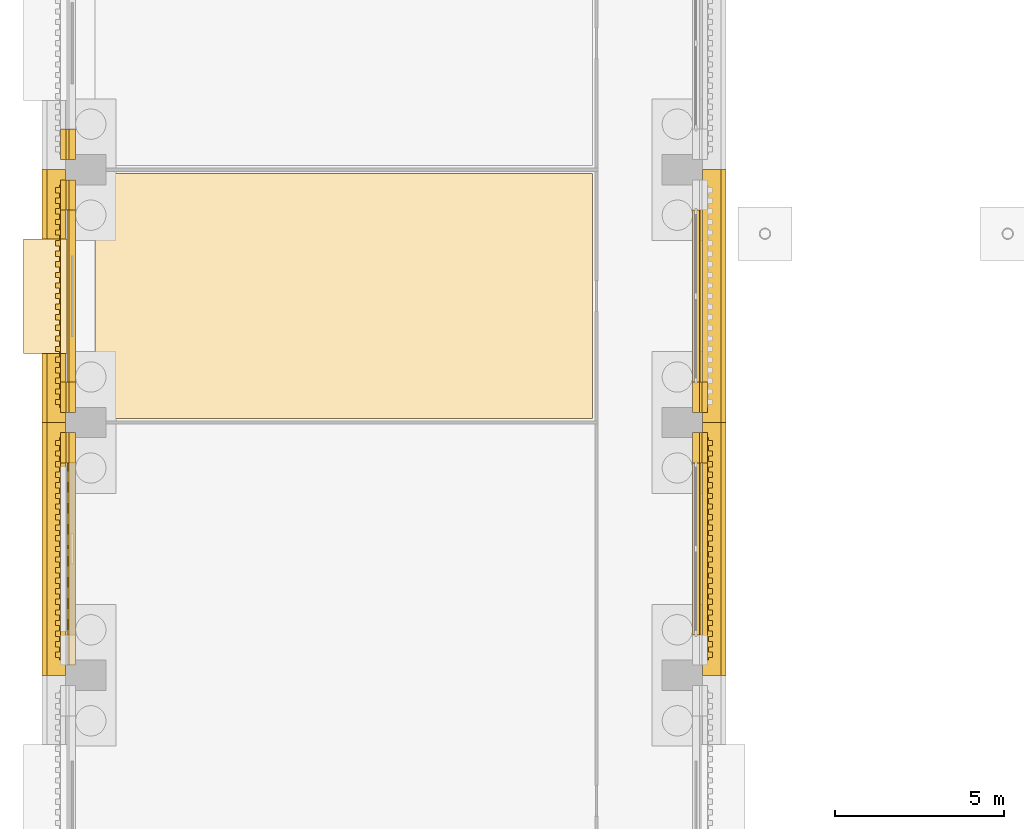
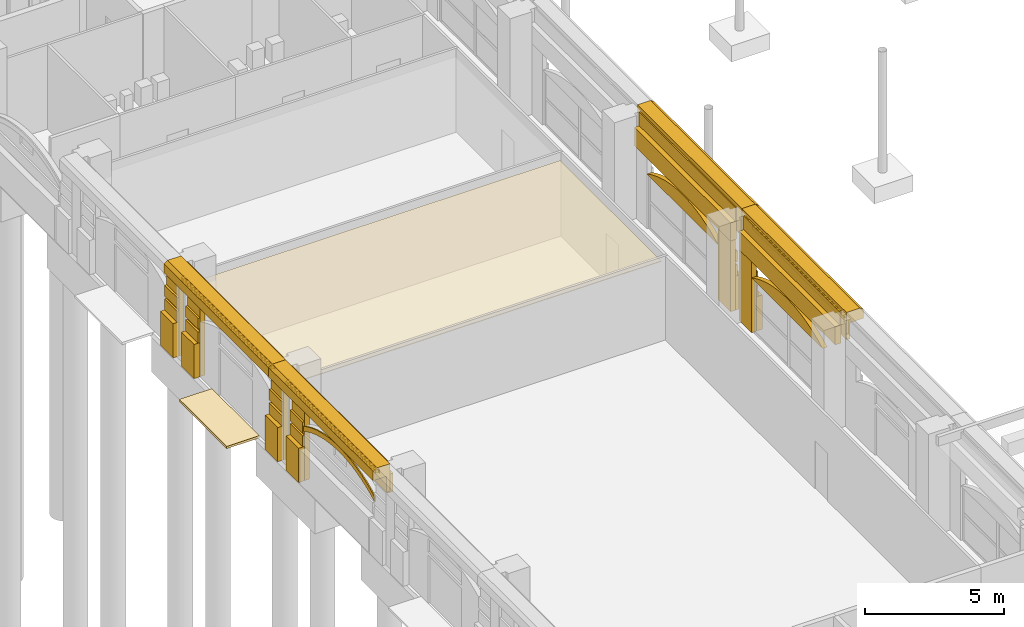
# One storey, part 72 of 99: 40 coverings.
"""IFC4 building model written with IfcOpenShell, lengths in metres."""

from ifc_helpers import new_model, si_unit, direction, frame, origin, place, context, subcontext, project, spatial, polyline, outline, extrude, material, layer, layer_set, type_object, element, save


model = new_model("IFC4")

# Units and contexts
model_context = context("Model", 3, precision=1e-05, world=origin(), true_north=direction((0.0, 1.0)))
body_context = subcontext(model_context, "Body", "Model", "MODEL_VIEW")
ifc_project = project(units=[si_unit("LENGTHUNIT", "METRE"), si_unit("AREAUNIT", "SQUARE_METRE"), si_unit("VOLUMEUNIT", "CUBIC_METRE"), si_unit("PLANEANGLEUNIT", "RADIAN"), si_unit("MASSUNIT", "GRAM", prefix="KILO")], contexts=[model_context])

# Site, building, storey
site_placement = place(None, origin())
site = spatial("IfcSite", under=ifc_project, at=site_placement, CompositionType="ELEMENT")
building_placement = place(site_placement, origin())
building = spatial("IfcBuilding", under=site, at=building_placement, Name="Cour d'Honneur Mobility Palace", CompositionType="ELEMENT")
storey_placement = place(building_placement, origin())
storey = spatial("IfcBuildingStorey", under=building, at=storey_placement, Name="L00", CompositionType="ELEMENT", Elevation=0.0)

# Coverings
ifc_material_1 = material(Name="Cast limestone", Category="masonry")
ifc_layer_1 = layer(ifc_material_1, 0.050048828125)
ifc_layer_set_1 = layer_set([ifc_layer_1], Name="Cast limestone")
covering_type_1 = type_object("IfcCoveringType", Name="Arch hood", PredefinedType="CLADDING", material=ifc_layer_set_1)
covering_1_placement = place(storey_placement, frame((-0.699951171875, 83.699951171875, 2.179931640625), z_axis=(-1.0, 0.0, 0.0), x_axis=(0.0, -0.893466628376, 0.449129584839)))
element("IfcCovering", 1, at=covering_1_placement, inside=storey, type_object=covering_type_1, Name="Arch hood AH-50", PredefinedType="CLADDING", context=body_context, shape_type="SweptSolid", body=[
    extrude(outline(polyline([(0.0, 0.0), (0.35659251896621735, 0.0), (0.7019994885684498, -0.022795326888668588), (1.036770332748469, -0.0667494093809779), (1.3614544754480467, -0.13022567619190017), (1.6770364335570624, -0.21235277137119013), (1.9834088964060255, -0.3122569988605455), (2.2812274285521696, -0.4297213972129261), (2.570383549271975, -0.5644181841497155), (2.850768777841922, -0.7160195773922962), (3.122709726486599, -0.8849630099968336), (3.38566048142632, -1.0712473119092998), (3.6398380041081246, -1.2755280476869282), (3.8846952106983004, -1.4983499610553759), (4.119465715808033, -1.740694058742436), (4.343818226996622, -2.004306562810686), (4.556548925819088, -2.2904950922125074), (4.655344276390369, -2.0939586097498237), (4.44272322834545, -1.807551948846934), (4.218261066379314, -1.5441575762797524), (3.9834905612695803, -1.3018134785926923), (3.7387430054569535, -1.078773433723176), (3.4844558319976, -0.8747108294466162), (3.221505077057879, -0.68842652753415), (2.949564128413202, -0.5194830949296125), (2.669178899843255, -0.3678817016870317), (2.3800227791234496, -0.2331849147502425), (2.0822042469773057, -0.11572051639786185), (1.7758317841283424, -0.015816288908506504), (1.4603594767968753, 0.06652893777185187), (1.135565683319749, 0.12978707308170578), (0.8007948391397299, 0.17374115557401504), (0.45549752031504603, 0.1967546139637521), (0.09879535057128006, 0.19653648246268365), (0.0, 0.0)])), origin(), (0.0, 0.0, -1.0), 0.050048828125),
])
ifc_material_2 = material(Name="Cast limestone", Category="masonry")
ifc_layer_2 = layer(ifc_material_2, 0.199951171875)
ifc_layer_set_2 = layer_set([ifc_layer_2], Name="Cast limestone")
covering_type_2 = type_object("IfcCoveringType", Name="Arch tympanum panel", PredefinedType="CLADDING", material=ifc_layer_set_2)
for number, where, z_axis, x_axis, name in (
    (2, (18.050048828125, 78.60009765625, 2.39990234375), (1.0, 0.0, 0.0), (0.0, 1.0, 0.0), "Arch tympanum panel TP-11"),
    (3, (18.050048828125, 86.10009765625, 2.39990234375), (1.0, 0.0, 0.0), (0.0, 1.0, 0.0), "Arch tympanum panel TP-12"),
):
    element("IfcCovering", number, at=place(storey_placement, frame(where, z_axis=z_axis, x_axis=x_axis)), inside=storey, type_object=covering_type_2, Name=name, PredefinedType="CLADDING", context=body_context, shape_type="SweptSolid", body=[
        extrude(outline(polyline([(0.0, 0.0), (5.099853515625, 0.0), (5.099853515625, 0.0), (4.78125, 0.160400390625), (4.46240234375, 0.294921875), (4.1435546875, 0.406005859375), (3.824951171875, 0.495361328125), (3.506103515625, 0.5634765625), (3.1875, 0.61181640625), (2.86865234375, 0.640625), (2.5498046875, 0.650146484375), (2.231201171875, 0.640625), (1.912353515625, 0.61181640625), (1.59375, 0.5634765625), (1.27490234375, 0.495361328125), (0.9560546875, 0.406005859375), (0.637451171875, 0.294921875), (0.318603515625, 0.160400390625), (0.0, 0.0), (0.0, 0.0)])), origin(), (0.0, 0.0, -1.0), 0.199951171875),
    ])
ifc_material_3 = material(Name="Cast limestone", Category="masonry")
ifc_layer_3 = layer(ifc_material_3, 0.14990234375)
ifc_layer_set_3 = layer_set([ifc_layer_3], Name="Cast limestone")
covering_type_3 = type_object("IfcCoveringType", Name="Dentil course", PredefinedType="CLADDING", material=ifc_layer_set_3)
covering_2_placement = place(storey_placement, frame((0.0, 0.0, 3.949951171875)))
element("IfcCovering", 4, at=covering_2_placement, inside=storey, type_object=covering_type_3, Name="Dentil course DC-57", PredefinedType="CLADDING", context=body_context, shape_type="SweptSolid", body=[
    extrude(outline(polyline([(18.300048828125, 77.85009765625), (18.300048828125, 84.449951171875), (18.330078125, 84.449951171875), (18.330078125, 84.449951171875), (18.330078125, 84.371337890625), (18.449951171875, 84.371337890625), (18.449951171875, 84.21435546875), (18.330078125, 84.21435546875), (18.330078125, 84.1357421875), (18.330078125, 84.1357421875), (18.330078125, 84.05712890625), (18.449951171875, 84.05712890625), (18.449951171875, 83.89990234375), (18.330078125, 83.89990234375), (18.330078125, 83.821533203125), (18.330078125, 83.821533203125), (18.330078125, 83.742919921875), (18.449951171875, 83.742919921875), (18.449951171875, 83.585693359375), (18.330078125, 83.585693359375), (18.330078125, 83.507080078125), (18.330078125, 83.507080078125), (18.330078125, 83.428466796875), (18.449951171875, 83.428466796875), (18.449951171875, 83.271484375), (18.330078125, 83.271484375), (18.330078125, 83.19287109375), (18.330078125, 83.19287109375), (18.330078125, 83.1142578125), (18.449951171875, 83.1142578125), (18.449951171875, 82.95703125), (18.330078125, 82.95703125), (18.330078125, 82.878662109375), (18.330078125, 82.878662109375), (18.330078125, 82.800048828125), (18.449951171875, 82.800048828125), (18.449951171875, 82.642822265625), (18.330078125, 82.642822265625), (18.330078125, 82.564208984375), (18.330078125, 82.564208984375), (18.330078125, 82.485595703125), (18.449951171875, 82.485595703125), (18.449951171875, 82.32861328125), (18.330078125, 82.32861328125), (18.330078125, 82.25), (18.330078125, 82.25), (18.330078125, 82.17138671875), (18.449951171875, 82.17138671875), (18.449951171875, 82.014404296875), (18.330078125, 82.014404296875), (18.330078125, 81.935791015625), (18.330078125, 81.935791015625), (18.330078125, 81.857177734375), (18.449951171875, 81.857177734375), (18.449951171875, 81.699951171875), (18.330078125, 81.699951171875), (18.330078125, 81.621337890625), (18.330078125, 81.621337890625), (18.330078125, 81.54296875), (18.449951171875, 81.54296875), (18.449951171875, 81.3857421875), (18.330078125, 81.3857421875), (18.330078125, 81.30712890625), (18.330078125, 81.30712890625), (18.330078125, 81.228515625), (18.449951171875, 81.228515625), (18.449951171875, 81.071533203125), (18.330078125, 81.071533203125), (18.330078125, 80.992919921875), (18.330078125, 80.992919921875), (18.330078125, 80.914306640625), (18.449951171875, 80.914306640625), (18.449951171875, 80.757080078125), (18.330078125, 80.757080078125), (18.330078125, 80.678466796875), (18.330078125, 80.678466796875), (18.330078125, 80.60009765625), (18.449951171875, 80.60009765625), (18.449951171875, 80.44287109375), (18.330078125, 80.44287109375), (18.330078125, 80.3642578125), (18.330078125, 80.3642578125), (18.330078125, 80.28564453125), (18.449951171875, 80.28564453125), (18.449951171875, 80.128662109375), (18.330078125, 80.128662109375), (18.330078125, 80.050048828125), (18.330078125, 80.050048828125), (18.330078125, 79.971435546875), (18.449951171875, 79.971435546875), (18.449951171875, 79.814208984375), (18.330078125, 79.814208984375), (18.330078125, 79.735595703125), (18.330078125, 79.735595703125), (18.330078125, 79.6572265625), (18.449951171875, 79.6572265625), (18.449951171875, 79.5), (18.330078125, 79.5), (18.330078125, 79.42138671875), (18.330078125, 79.42138671875), (18.330078125, 79.3427734375), (18.449951171875, 79.3427734375), (18.449951171875, 79.185791015625), (18.330078125, 79.185791015625), (18.330078125, 79.107177734375), (18.330078125, 79.107177734375), (18.330078125, 79.028564453125), (18.449951171875, 79.028564453125), (18.449951171875, 78.871337890625), (18.330078125, 78.871337890625), (18.330078125, 78.79296875), (18.330078125, 78.79296875), (18.330078125, 78.71435546875), (18.449951171875, 78.71435546875), (18.449951171875, 78.55712890625), (18.330078125, 78.55712890625), (18.330078125, 78.478515625), (18.330078125, 78.478515625), (18.330078125, 78.39990234375), (18.449951171875, 78.39990234375), (18.449951171875, 78.242919921875), (18.330078125, 78.242919921875), (18.330078125, 78.164306640625), (18.330078125, 78.164306640625), (18.330078125, 78.085693359375), (18.449951171875, 78.085693359375), (18.449951171875, 77.928466796875), (18.330078125, 77.928466796875), (18.330078125, 77.85009765625), (18.300048828125, 77.85009765625)])), origin(), (0.0, 0.0, 1.0), 0.150146484375),
])
covering_3_placement = place(storey_placement, frame((0.0, 0.0, 3.949951171875)))
element("IfcCovering", 5, at=covering_3_placement, inside=storey, type_object=covering_type_3, Name="Dentil course DC-63", PredefinedType="CLADDING", context=body_context, shape_type="SweptSolid", body=[
    extrude(outline(polyline([(-0.89990234375, 91.949951171875), (-0.89990234375, 85.35009765625), (-0.929931640625, 85.35009765625), (-0.929931640625, 85.35009765625), (-0.929931640625, 85.428466796875), (-1.050048828125, 85.428466796875), (-1.050048828125, 85.585693359375), (-0.929931640625, 85.585693359375), (-0.929931640625, 85.664306640625), (-0.929931640625, 85.664306640625), (-0.929931640625, 85.742919921875), (-1.050048828125, 85.742919921875), (-1.050048828125, 85.89990234375), (-0.929931640625, 85.89990234375), (-0.929931640625, 85.978515625), (-0.929931640625, 85.978515625), (-0.929931640625, 86.05712890625), (-1.050048828125, 86.05712890625), (-1.050048828125, 86.21435546875), (-0.929931640625, 86.21435546875), (-0.929931640625, 86.29296875), (-0.929931640625, 86.29296875), (-0.929931640625, 86.371337890625), (-1.050048828125, 86.371337890625), (-1.050048828125, 86.528564453125), (-0.929931640625, 86.528564453125), (-0.929931640625, 86.607177734375), (-0.929931640625, 86.607177734375), (-0.929931640625, 86.685791015625), (-1.050048828125, 86.685791015625), (-1.050048828125, 86.8427734375), (-0.929931640625, 86.8427734375), (-0.929931640625, 86.92138671875), (-0.929931640625, 86.92138671875), (-0.929931640625, 87.0), (-1.050048828125, 87.0), (-1.050048828125, 87.1572265625), (-0.929931640625, 87.1572265625), (-0.929931640625, 87.235595703125), (-0.929931640625, 87.235595703125), (-0.929931640625, 87.314208984375), (-1.050048828125, 87.314208984375), (-1.050048828125, 87.471435546875), (-0.929931640625, 87.471435546875), (-0.929931640625, 87.550048828125), (-0.929931640625, 87.550048828125), (-0.929931640625, 87.628662109375), (-1.050048828125, 87.628662109375), (-1.050048828125, 87.78564453125), (-0.929931640625, 87.78564453125), (-0.929931640625, 87.8642578125), (-0.929931640625, 87.8642578125), (-0.929931640625, 87.94287109375), (-1.050048828125, 87.94287109375), (-1.050048828125, 88.10009765625), (-0.929931640625, 88.10009765625), (-0.929931640625, 88.178466796875), (-0.929931640625, 88.178466796875), (-0.929931640625, 88.257080078125), (-1.050048828125, 88.257080078125), (-1.050048828125, 88.414306640625), (-0.929931640625, 88.414306640625), (-0.929931640625, 88.492919921875), (-0.929931640625, 88.492919921875), (-0.929931640625, 88.571533203125), (-1.050048828125, 88.571533203125), (-1.050048828125, 88.728515625), (-0.929931640625, 88.728515625), (-0.929931640625, 88.80712890625), (-0.929931640625, 88.80712890625), (-0.929931640625, 88.8857421875), (-1.050048828125, 88.8857421875), (-1.050048828125, 89.04296875), (-0.929931640625, 89.04296875), (-0.929931640625, 89.121337890625), (-0.929931640625, 89.121337890625), (-0.929931640625, 89.199951171875), (-1.050048828125, 89.199951171875), (-1.050048828125, 89.357177734375), (-0.929931640625, 89.357177734375), (-0.929931640625, 89.435791015625), (-0.929931640625, 89.435791015625), (-0.929931640625, 89.514404296875), (-1.050048828125, 89.514404296875), (-1.050048828125, 89.67138671875), (-0.929931640625, 89.67138671875), (-0.929931640625, 89.75), (-0.929931640625, 89.75), (-0.929931640625, 89.82861328125), (-1.050048828125, 89.82861328125), (-1.050048828125, 89.985595703125), (-0.929931640625, 89.985595703125), (-0.929931640625, 90.064208984375), (-0.929931640625, 90.064208984375), (-0.929931640625, 90.142822265625), (-1.050048828125, 90.142822265625), (-1.050048828125, 90.300048828125), (-0.929931640625, 90.300048828125), (-0.929931640625, 90.378662109375), (-0.929931640625, 90.378662109375), (-0.929931640625, 90.45703125), (-1.050048828125, 90.45703125), (-1.050048828125, 90.6142578125), (-0.929931640625, 90.6142578125), (-0.929931640625, 90.69287109375), (-0.929931640625, 90.69287109375), (-0.929931640625, 90.771484375), (-1.050048828125, 90.771484375), (-1.050048828125, 90.928466796875), (-0.929931640625, 90.928466796875), (-0.929931640625, 91.007080078125), (-0.929931640625, 91.007080078125), (-0.929931640625, 91.085693359375), (-1.050048828125, 91.085693359375), (-1.050048828125, 91.242919921875), (-0.929931640625, 91.242919921875), (-0.929931640625, 91.321533203125), (-0.929931640625, 91.321533203125), (-0.929931640625, 91.39990234375), (-1.050048828125, 91.39990234375), (-1.050048828125, 91.55712890625), (-0.929931640625, 91.55712890625), (-0.929931640625, 91.6357421875), (-0.929931640625, 91.6357421875), (-0.929931640625, 91.71435546875), (-1.050048828125, 91.71435546875), (-1.050048828125, 91.871337890625), (-0.929931640625, 91.871337890625), (-0.929931640625, 91.949951171875), (-0.89990234375, 91.949951171875)])), origin(), (0.0, 0.0, 1.0), 0.150146484375),
])
covering_4_placement = place(storey_placement, frame((0.0, 0.0, 3.949951171875)))
element("IfcCovering", 6, at=covering_4_placement, inside=storey, type_object=covering_type_3, Name="Dentil course DC-64", PredefinedType="CLADDING", context=body_context, shape_type="SweptSolid", body=[
    extrude(outline(polyline([(-0.89990234375, 84.449951171875), (-0.89990234375, 77.85009765625), (-0.929931640625, 77.85009765625), (-0.929931640625, 77.85009765625), (-0.929931640625, 77.928466796875), (-1.050048828125, 77.928466796875), (-1.050048828125, 78.085693359375), (-0.929931640625, 78.085693359375), (-0.929931640625, 78.164306640625), (-0.929931640625, 78.164306640625), (-0.929931640625, 78.242919921875), (-1.050048828125, 78.242919921875), (-1.050048828125, 78.39990234375), (-0.929931640625, 78.39990234375), (-0.929931640625, 78.478515625), (-0.929931640625, 78.478515625), (-0.929931640625, 78.55712890625), (-1.050048828125, 78.55712890625), (-1.050048828125, 78.71435546875), (-0.929931640625, 78.71435546875), (-0.929931640625, 78.79296875), (-0.929931640625, 78.79296875), (-0.929931640625, 78.871337890625), (-1.050048828125, 78.871337890625), (-1.050048828125, 79.028564453125), (-0.929931640625, 79.028564453125), (-0.929931640625, 79.107177734375), (-0.929931640625, 79.107177734375), (-0.929931640625, 79.185791015625), (-1.050048828125, 79.185791015625), (-1.050048828125, 79.3427734375), (-0.929931640625, 79.3427734375), (-0.929931640625, 79.42138671875), (-0.929931640625, 79.42138671875), (-0.929931640625, 79.5), (-1.050048828125, 79.5), (-1.050048828125, 79.6572265625), (-0.929931640625, 79.6572265625), (-0.929931640625, 79.735595703125), (-0.929931640625, 79.735595703125), (-0.929931640625, 79.814208984375), (-1.050048828125, 79.814208984375), (-1.050048828125, 79.971435546875), (-0.929931640625, 79.971435546875), (-0.929931640625, 80.050048828125), (-0.929931640625, 80.050048828125), (-0.929931640625, 80.128662109375), (-1.050048828125, 80.128662109375), (-1.050048828125, 80.28564453125), (-0.929931640625, 80.28564453125), (-0.929931640625, 80.3642578125), (-0.929931640625, 80.3642578125), (-0.929931640625, 80.44287109375), (-1.050048828125, 80.44287109375), (-1.050048828125, 80.60009765625), (-0.929931640625, 80.60009765625), (-0.929931640625, 80.678466796875), (-0.929931640625, 80.678466796875), (-0.929931640625, 80.757080078125), (-1.050048828125, 80.757080078125), (-1.050048828125, 80.914306640625), (-0.929931640625, 80.914306640625), (-0.929931640625, 80.992919921875), (-0.929931640625, 80.992919921875), (-0.929931640625, 81.071533203125), (-1.050048828125, 81.071533203125), (-1.050048828125, 81.228515625), (-0.929931640625, 81.228515625), (-0.929931640625, 81.30712890625), (-0.929931640625, 81.30712890625), (-0.929931640625, 81.3857421875), (-1.050048828125, 81.3857421875), (-1.050048828125, 81.54296875), (-0.929931640625, 81.54296875), (-0.929931640625, 81.621337890625), (-0.929931640625, 81.621337890625), (-0.929931640625, 81.699951171875), (-1.050048828125, 81.699951171875), (-1.050048828125, 81.857177734375), (-0.929931640625, 81.857177734375), (-0.929931640625, 81.935791015625), (-0.929931640625, 81.935791015625), (-0.929931640625, 82.014404296875), (-1.050048828125, 82.014404296875), (-1.050048828125, 82.17138671875), (-0.929931640625, 82.17138671875), (-0.929931640625, 82.25), (-0.929931640625, 82.25), (-0.929931640625, 82.32861328125), (-1.050048828125, 82.32861328125), (-1.050048828125, 82.485595703125), (-0.929931640625, 82.485595703125), (-0.929931640625, 82.564208984375), (-0.929931640625, 82.564208984375), (-0.929931640625, 82.642822265625), (-1.050048828125, 82.642822265625), (-1.050048828125, 82.800048828125), (-0.929931640625, 82.800048828125), (-0.929931640625, 82.878662109375), (-0.929931640625, 82.878662109375), (-0.929931640625, 82.95703125), (-1.050048828125, 82.95703125), (-1.050048828125, 83.1142578125), (-0.929931640625, 83.1142578125), (-0.929931640625, 83.19287109375), (-0.929931640625, 83.19287109375), (-0.929931640625, 83.271484375), (-1.050048828125, 83.271484375), (-1.050048828125, 83.428466796875), (-0.929931640625, 83.428466796875), (-0.929931640625, 83.507080078125), (-0.929931640625, 83.507080078125), (-0.929931640625, 83.585693359375), (-1.050048828125, 83.585693359375), (-1.050048828125, 83.742919921875), (-0.929931640625, 83.742919921875), (-0.929931640625, 83.821533203125), (-0.929931640625, 83.821533203125), (-0.929931640625, 83.89990234375), (-1.050048828125, 83.89990234375), (-1.050048828125, 84.05712890625), (-0.929931640625, 84.05712890625), (-0.929931640625, 84.1357421875), (-0.929931640625, 84.1357421875), (-0.929931640625, 84.21435546875), (-1.050048828125, 84.21435546875), (-1.050048828125, 84.371337890625), (-0.929931640625, 84.371337890625), (-0.929931640625, 84.449951171875), (-0.89990234375, 84.449951171875)])), origin(), (0.0, 0.0, 1.0), 0.150146484375),
])
ifc_material_4 = material(Name="Cast limestone", Category="masonry")
ifc_layer_4 = layer(ifc_material_4, 0.699951171875)
ifc_layer_set_4 = layer_set([ifc_layer_4], Name="Cast limestone")
covering_type_4 = type_object("IfcCoveringType", Name="Entablature", PredefinedType="CLADDING", material=ifc_layer_set_4)
for number, where, z_axis, x_axis, name in (
    (7, (18.14990234375, 77.39990234375, 3.39990234375), (0.0, -1.0, 0.0), (1.0, 0.0, 0.0), "Entablature EN-57"),
    (8, (18.14990234375, 84.89990234375, 3.39990234375), (0.0, -1.0, 0.0), (1.0, 0.0, 0.0), "Entablature EN-58"),
):
    element("IfcCovering", number, at=place(storey_placement, frame(where, z_axis=z_axis, x_axis=x_axis)), inside=storey, type_object=covering_type_4, Name=name, PredefinedType="CLADDING", context=body_context, shape_type="SweptSolid", body=[
        extrude(outline(polyline([(0.0, 0.0), (0.150146484375, 0.0), (0.150146484375, 0.7001953125), (0.7001953125, 0.7001953125), (0.7001953125, 1.10009765625), (0.550048828125, 1.2001953125), (0.0, 1.2001953125), (0.0, 0.0)])), origin(), (0.0, 0.0, -1.0), 7.5),
    ])
for number, where, z_axis, x_axis, name in (
    (9, (-0.75, 92.39990234375, 3.39990234375), (0.0, 1.0, 0.0), (-1.0, 0.0, 0.0), "Entablature EN-63"),
    (10, (-0.75, 84.89990234375, 3.39990234375), (0.0, 1.0, 0.0), (-1.0, 0.0, 0.0), "Entablature EN-64"),
):
    element("IfcCovering", number, at=place(storey_placement, frame(where, z_axis=z_axis, x_axis=x_axis)), inside=storey, type_object=covering_type_4, Name=name, PredefinedType="CLADDING", context=body_context, shape_type="SweptSolid", body=[
        extrude(outline(polyline([(0.0, 0.0), (0.14990234375, 0.0), (0.14990234375, 0.7001953125), (0.699951171875, 0.7001953125), (0.699951171875, 1.10009765625), (0.550048828125, 1.2001953125), (0.0, 1.2001953125), (0.0, 0.0)])), origin(), (0.0, 0.0, -1.0), 7.5),
    ])
ifc_material_5 = material(Name="Granite paving", Category="masonry")
ifc_layer_5 = layer(ifc_material_5, 0.10009765625)
ifc_layer_set_5 = layer_set([ifc_layer_5], Name="Granite paving")
covering_type_5 = type_object("IfcCoveringType", Name="Entrance paving", PredefinedType="FLOORING", material=ifc_layer_set_5)
covering_5_placement = place(storey_placement, frame((0.0, 0.0, -0.10009765625)))
element("IfcCovering", 11, at=covering_5_placement, inside=storey, type_object=covering_type_5, Name="Entrance paving PV-27", PredefinedType="FLOORING", context=body_context, shape_type="SweptSolid", body=[
    extrude(outline(polyline([(-0.64990234375, 90.35009765625), (-0.64990234375, 86.949951171875), (-2.0, 86.949951171875), (-2.0, 90.35009765625), (-0.64990234375, 90.35009765625)])), origin(), (0.0, 0.0, 1.0), 0.10009765625),
])
ifc_material_6 = material(Name="Cast limestone", Category="masonry")
ifc_layer_6 = layer(ifc_material_6, 0.25)
ifc_layer_set_6 = layer_set([ifc_layer_6], Name="Cast limestone")
covering_type_6 = type_object("IfcCoveringType", Name="Plinth course", PredefinedType="CLADDING", material=ifc_layer_set_6)
covering_6_placement = place(storey_placement, origin())
element("IfcCovering", 12, at=covering_6_placement, inside=storey, type_object=covering_type_6, Name="Plinth course PI-179", PredefinedType="CLADDING", context=body_context, shape_type="SweptSolid", body=[
    extrude(outline(polyline([(18.050048828125, 83.699951171875), (18.050048828125, 84.60009765625), (18.300048828125, 84.60009765625), (18.300048828125, 83.699951171875), (18.050048828125, 83.699951171875)])), origin(), (0.0, 0.0, 1.0), 1.5),
])
covering_7_placement = place(storey_placement, origin())
element("IfcCovering", 13, at=covering_7_placement, inside=storey, type_object=covering_type_6, Name="Plinth course PI-180", PredefinedType="CLADDING", context=body_context, shape_type="SweptSolid", body=[
    extrude(outline(polyline([(18.050048828125, 85.199951171875), (18.050048828125, 86.10009765625), (18.300048828125, 86.10009765625), (18.300048828125, 85.199951171875), (18.050048828125, 85.199951171875)])), origin(), (0.0, 0.0, 1.0), 1.5),
])
covering_8_placement = place(storey_placement, origin())
element("IfcCovering", 14, at=covering_8_placement, inside=storey, type_object=covering_type_6, Name="Plinth course PI-197", PredefinedType="CLADDING", context=body_context, shape_type="SweptSolid", body=[
    extrude(outline(polyline([(-0.64990234375, 93.60009765625), (-0.64990234375, 92.699951171875), (-0.89990234375, 92.699951171875), (-0.89990234375, 93.60009765625), (-0.64990234375, 93.60009765625)])), origin(), (0.0, 0.0, 1.0), 1.5),
])
covering_9_placement = place(storey_placement, origin())
element("IfcCovering", 15, at=covering_9_placement, inside=storey, type_object=covering_type_6, Name="Plinth course PI-198", PredefinedType="CLADDING", context=body_context, shape_type="SweptSolid", body=[
    extrude(outline(polyline([(-0.64990234375, 92.10009765625), (-0.64990234375, 91.199951171875), (-0.89990234375, 91.199951171875), (-0.89990234375, 92.10009765625), (-0.64990234375, 92.10009765625)])), origin(), (0.0, 0.0, 1.0), 1.5),
])
covering_10_placement = place(storey_placement, origin())
element("IfcCovering", 16, at=covering_10_placement, inside=storey, type_object=covering_type_6, Name="Plinth course PI-199", PredefinedType="CLADDING", context=body_context, shape_type="SweptSolid", body=[
    extrude(outline(polyline([(-0.64990234375, 86.10009765625), (-0.64990234375, 85.199951171875), (-0.89990234375, 85.199951171875), (-0.89990234375, 86.10009765625), (-0.64990234375, 86.10009765625)])), origin(), (0.0, 0.0, 1.0), 1.5),
])
covering_11_placement = place(storey_placement, origin())
element("IfcCovering", 17, at=covering_11_placement, inside=storey, type_object=covering_type_6, Name="Plinth course PI-200", PredefinedType="CLADDING", context=body_context, shape_type="SweptSolid", body=[
    extrude(outline(polyline([(-0.64990234375, 84.60009765625), (-0.64990234375, 83.699951171875), (-0.89990234375, 83.699951171875), (-0.89990234375, 84.60009765625), (-0.64990234375, 84.60009765625)])), origin(), (0.0, 0.0, 1.0), 1.5),
])
ifc_material_7 = material(Name="Cast limestone", Category="masonry")
ifc_layer_7 = layer(ifc_material_7, 0.199951171875)
ifc_layer_set_7 = layer_set([ifc_layer_7], Name="Cast limestone")
covering_type_7 = type_object("IfcCoveringType", Name="Rusticated jamb panel", PredefinedType="CLADDING", material=ifc_layer_set_7)
for number, where, z_axis, x_axis, name in (
    (18, (18.050048828125, 83.699951171875, 0.0), (1.0, 0.0, 0.0), (0.0, 1.0, 0.0), "Rusticated jamb panel RP-151"),
    (19, (18.050048828125, 85.199951171875, 0.0), (1.0, 0.0, 0.0), (0.0, 1.0, 0.0), "Rusticated jamb panel RP-152"),
    (20, (-0.64990234375, 93.60009765625, 0.0), (-1.0, 0.0, 0.0), (0.0, -1.0, 0.0), "Rusticated jamb panel RP-168"),
    (21, (-0.64990234375, 92.10009765625, 0.0), (-1.0, 0.0, 0.0), (0.0, -1.0, 0.0), "Rusticated jamb panel RP-169"),
    (22, (-0.64990234375, 86.10009765625, 0.0), (-1.0, 0.0, 0.0), (0.0, -1.0, 0.0), "Rusticated jamb panel RP-170"),
    (23, (-0.64990234375, 84.60009765625, 0.0), (-1.0, 0.0, 0.0), (0.0, -1.0, 0.0), "Rusticated jamb panel RP-171"),
):
    element("IfcCovering", number, at=place(storey_placement, frame(where, z_axis=z_axis, x_axis=x_axis)), inside=storey, type_object=covering_type_7, Name=name, PredefinedType="CLADDING", context=body_context, shape_type="SweptSolid", body=[
        extrude(outline(polyline([(0.0, 0.0), (0.900146484375, 0.0), (0.900146484375, 3.10009765625), (0.0, 3.10009765625), (0.0, 0.0)])), origin(), (0.0, 0.0, -1.0), 0.199951171875),
    ])
ifc_material_8 = material(Name="Cast limestone", Category="masonry")
ifc_layer_8 = layer(ifc_material_8, 0.080078125)
ifc_layer_set_8 = layer_set([ifc_layer_8], Name="Cast limestone")
covering_type_8 = type_object("IfcCoveringType", Name="Rustication course", PredefinedType="CLADDING", material=ifc_layer_set_8)
for number, where, name in (
    (24, (0.0, 0.0, 1.5), "Rustication course RC-322"),
    (25, (0.0, 0.0, 2.10009765625), "Rustication course RC-323"),
):
    element("IfcCovering", number, at=place(storey_placement, frame(where)), inside=storey, type_object=covering_type_8, Name=name, PredefinedType="CLADDING", context=body_context, shape_type="SweptSolid", body=[
        extrude(outline(polyline([(18.050048828125, 83.699951171875), (18.050048828125, 84.60009765625), (18.1298828125, 84.60009765625), (18.1298828125, 83.699951171875), (18.050048828125, 83.699951171875)])), origin(), (0.0, 0.0, 1.0), 0.47998046875),
    ])
for number, where, name in (
    (26, (0.0, 0.0, 1.5), "Rustication course RC-324"),
    (27, (0.0, 0.0, 2.10009765625), "Rustication course RC-325"),
):
    element("IfcCovering", number, at=place(storey_placement, frame(where)), inside=storey, type_object=covering_type_8, Name=name, PredefinedType="CLADDING", context=body_context, shape_type="SweptSolid", body=[
        extrude(outline(polyline([(18.050048828125, 85.199951171875), (18.050048828125, 86.10009765625), (18.1298828125, 86.10009765625), (18.1298828125, 85.199951171875), (18.050048828125, 85.199951171875)])), origin(), (0.0, 0.0, 1.0), 0.47998046875),
    ])
for number, where, name in (
    (28, (0.0, 0.0, 1.5), "Rustication course RC-363"),
    (29, (0.0, 0.0, 2.10009765625), "Rustication course RC-364"),
):
    element("IfcCovering", number, at=place(storey_placement, frame(where)), inside=storey, type_object=covering_type_8, Name=name, PredefinedType="CLADDING", context=body_context, shape_type="SweptSolid", body=[
        extrude(outline(polyline([(-0.64990234375, 93.60009765625), (-0.64990234375, 92.699951171875), (-0.72998046875, 92.699951171875), (-0.72998046875, 93.60009765625), (-0.64990234375, 93.60009765625)])), origin(), (0.0, 0.0, 1.0), 0.47998046875),
    ])
for number, where, name in (
    (30, (0.0, 0.0, 1.5), "Rustication course RC-365"),
    (31, (0.0, 0.0, 2.10009765625), "Rustication course RC-366"),
):
    element("IfcCovering", number, at=place(storey_placement, frame(where)), inside=storey, type_object=covering_type_8, Name=name, PredefinedType="CLADDING", context=body_context, shape_type="SweptSolid", body=[
        extrude(outline(polyline([(-0.64990234375, 92.10009765625), (-0.64990234375, 91.199951171875), (-0.72998046875, 91.199951171875), (-0.72998046875, 92.10009765625), (-0.64990234375, 92.10009765625)])), origin(), (0.0, 0.0, 1.0), 0.47998046875),
    ])
for number, where, name in (
    (32, (0.0, 0.0, 1.5), "Rustication course RC-367"),
    (33, (0.0, 0.0, 2.10009765625), "Rustication course RC-368"),
):
    element("IfcCovering", number, at=place(storey_placement, frame(where)), inside=storey, type_object=covering_type_8, Name=name, PredefinedType="CLADDING", context=body_context, shape_type="SweptSolid", body=[
        extrude(outline(polyline([(-0.64990234375, 86.10009765625), (-0.64990234375, 85.199951171875), (-0.72998046875, 85.199951171875), (-0.72998046875, 86.10009765625), (-0.64990234375, 86.10009765625)])), origin(), (0.0, 0.0, 1.0), 0.47998046875),
    ])
for number, where, name in (
    (34, (0.0, 0.0, 1.5), "Rustication course RC-369"),
    (35, (0.0, 0.0, 2.10009765625), "Rustication course RC-370"),
):
    element("IfcCovering", number, at=place(storey_placement, frame(where)), inside=storey, type_object=covering_type_8, Name=name, PredefinedType="CLADDING", context=body_context, shape_type="SweptSolid", body=[
        extrude(outline(polyline([(-0.64990234375, 84.60009765625), (-0.64990234375, 83.699951171875), (-0.72998046875, 83.699951171875), (-0.72998046875, 84.60009765625), (-0.64990234375, 84.60009765625)])), origin(), (0.0, 0.0, 1.0), 0.47998046875),
    ])
ifc_material_9 = material(Name="Cast limestone", Category="masonry")
ifc_layer_9 = layer(ifc_material_9, 0.25)
ifc_layer_set_9 = layer_set([ifc_layer_9], Name="Cast limestone")
covering_type_9 = type_object("IfcCoveringType", Name="Spandrel cladding", PredefinedType="CLADDING", material=ifc_layer_set_9)
for number, where, z_axis, x_axis, name in (
    (36, (17.85009765625, 77.699951171875, 3.10009765625), (0.0, -1.0, 0.0), (1.0, 0.0, 0.0), "Spandrel cladding SK-57"),
    (37, (17.85009765625, 85.199951171875, 3.10009765625), (0.0, -1.0, 0.0), (1.0, 0.0, 0.0), "Spandrel cladding SK-58"),
    (38, (-0.449951171875, 92.10009765625, 3.10009765625), (0.0, 1.0, 0.0), (-1.0, 0.0, 0.0), "Spandrel cladding SK-63"),
    (39, (-0.449951171875, 84.60009765625, 3.10009765625), (0.0, 1.0, 0.0), (-1.0, 0.0, 0.0), "Spandrel cladding SK-64"),
):
    element("IfcCovering", number, at=place(storey_placement, frame(where, z_axis=z_axis, x_axis=x_axis)), inside=storey, type_object=covering_type_9, Name=name, PredefinedType="CLADDING", context=body_context, shape_type="SweptSolid", body=[
        extrude(outline(polyline([(0.0, 0.0), (0.25, 0.0), (0.25, 1.39990234375), (0.199951171875, 1.39990234375), (0.199951171875, 0.7998046875), (0.0, 0.7998046875), (0.0, 0.0)])), origin(), (0.0, 0.0, -1.0), 6.89990234375),
    ])
ifc_material_10 = material(Name="Suspended ceiling")
ifc_layer_10 = layer(ifc_material_10, 0.030029296875)
ifc_layer_set_10 = layer_set([ifc_layer_10], Name="Suspended ceiling")
covering_type_10 = type_object("IfcCoveringType", Name="Suspended ceiling", PredefinedType="CEILING", material=ifc_layer_set_10)
covering_12_placement = place(storey_placement, frame((0.0, 0.0, 3.35009765625)))
element("IfcCovering", 40, at=covering_12_placement, inside=storey, type_object=covering_type_10, Name="Ceiling Bicycle Repair Shop", PredefinedType="CEILING", context=body_context, shape_type="SweptSolid", body=[
    extrude(outline(polyline([(14.8798828125, 85.02001953125), (0.1201171875, 85.02001953125), (0.1201171875, 92.280029296875), (14.8798828125, 92.280029296875), (14.8798828125, 85.02001953125)])), origin(), (0.0, 0.0, 1.0), 0.02978515625),
])

save(model, "model.ifc")
